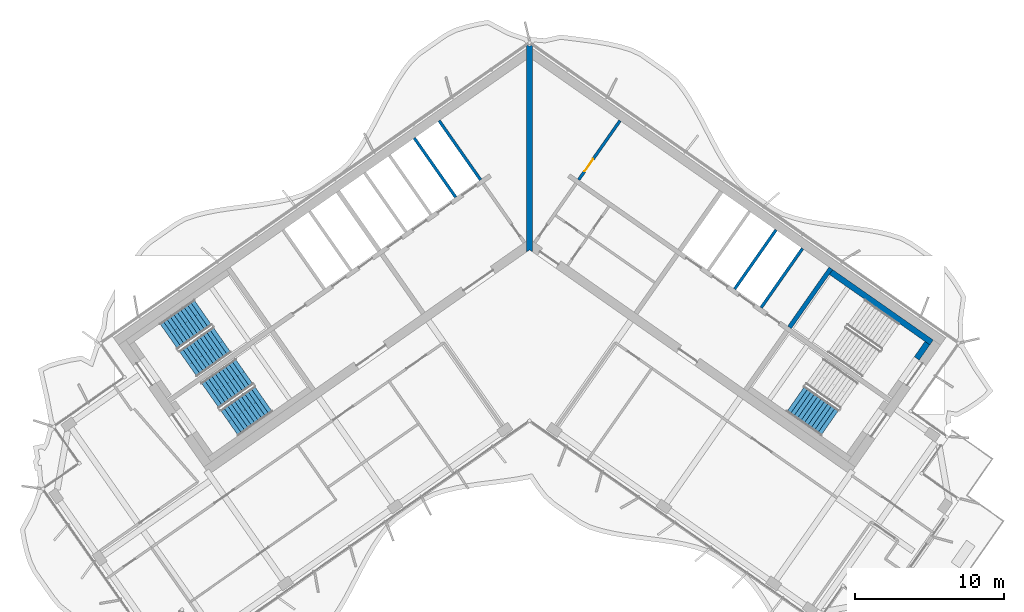
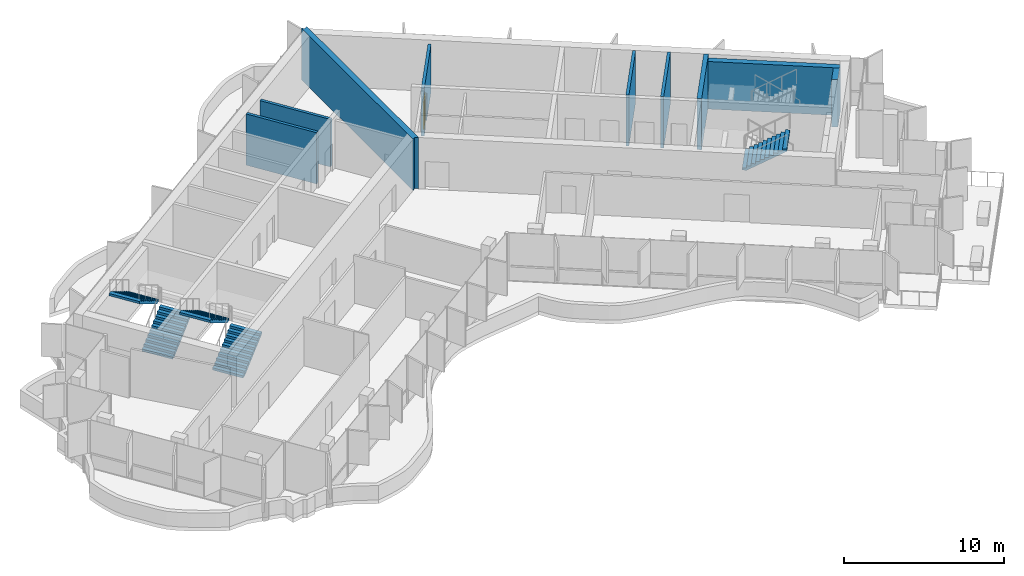
# One storey, part 11 of 18: 9 walls, 5 stair flights, 1 door, 1 opening, 3 elements without a shape of their own.
"""IFC4 building model written with IfcOpenShell, lengths in metres."""

import ifcopenshell
import ifcopenshell.guid

model = None  # the IFC model being written
_history = None  # IfcOwnerHistory: only IFC2X3 demands one
_inside = {}  # id of a spatial element -> (the spatial element, [elements in it])
_under = {}  # id of a project, library or spatial element -> (it, [spatial elements below it])
_declared = {}  # id of a project -> (the project, [libraries it declares])
_typed = {}  # id of a type object -> (the type object, [elements of that type])
_made_of = {}  # id of a material, layer set ... -> (it, [elements and type objects made of it])


def new_model(schema):
    """Start an empty IFC model of exactly this schema.

    Asked for "IFC4X3", IfcOpenShell would pick the latest addendum, in which some entities
    have other attributes; the version numbers below select the first issue.
    IFC2X3 requires an IfcOwnerHistory on every rooted entity: one is made here for all.
    """
    global model, _history
    if schema == "IFC4X3":
        model = ifcopenshell.file(schema_version=(4, 3, 0, 0))
    else:
        model = ifcopenshell.file(schema=schema)
    _inside.clear()
    _under.clear()
    _declared.clear()
    _typed.clear()
    _made_of.clear()
    _history = None
    if model.schema == "IFC2X3":
        org = make("IfcOrganization", Name="unknown")
        user = make(
            "IfcPersonAndOrganization",
            ThePerson=make("IfcPerson", FamilyName="unknown"),
            TheOrganization=org,
        )
        app = make(
            "IfcApplication",
            ApplicationDeveloper=org,
            Version="unknown",
            ApplicationFullName="unknown",
            ApplicationIdentifier="unknown",
        )
        _history = make(
            "IfcOwnerHistory",
            OwningUser=user,
            OwningApplication=app,
            ChangeAction="ADDED",
            CreationDate=0,
        )
    return model


def make(cls, **values):
    """One entity of the class cls with the attributes given. An attribute that is None is left unset."""
    return model.create_entity(
        cls, **{name: value for name, value in values.items() if value is not None}
    )


def rooted(cls, **values):
    """An entity with a GlobalId (a new one), such as an element, a storey or a relation."""
    return make(cls, GlobalId=ifcopenshell.guid.new(), OwnerHistory=_history, **values)


def si_unit(unit_type, name, prefix=None):
    """IfcSIUnit, for example si_unit("LENGTHUNIT", "METRE", prefix="MILLI")."""
    return make("IfcSIUnit", UnitType=unit_type, Prefix=prefix, Name=name)


def assignment(units):
    """IfcUnitAssignment: the units of a project."""
    return None if units is None else make("IfcUnitAssignment", Units=units)


def point(xyz):
    """IfcCartesianPoint."""
    return None if xyz is None else make("IfcCartesianPoint", Coordinates=xyz)


def direction(xyz):
    """IfcDirection."""
    return None if xyz is None else make("IfcDirection", DirectionRatios=xyz)


def frame(location, z_axis=None, x_axis=None):
    """IfcAxis2Placement3D, a coordinate frame: its origin and axes. An axis left out is left unset."""
    return make(
        "IfcAxis2Placement3D",
        Location=point(location),
        Axis=direction(z_axis),
        RefDirection=direction(x_axis),
    )


def frame_2d(location, x_axis=None):
    """IfcAxis2Placement2D, a coordinate frame in the plane: its origin and x axis."""
    return make(
        "IfcAxis2Placement2D", Location=point(location), RefDirection=direction(x_axis)
    )


def origin():
    """The frame at (0, 0, 0) with its axes left unset."""
    return frame((0.0, 0.0, 0.0))


def place(relative_to, where):
    """IfcLocalPlacement: puts the frame where relative to a parent placement (None: the world)."""
    return make(
        "IfcLocalPlacement", PlacementRelTo=relative_to, RelativePlacement=where
    )


def context(
    kind, dimensions, precision=None, world=None, true_north=None, identifier=None
):
    """IfcGeometricRepresentationContext, for example the 3D "Model" context."""
    return make(
        "IfcGeometricRepresentationContext",
        ContextIdentifier=identifier,
        ContextType=kind,
        CoordinateSpaceDimension=dimensions,
        Precision=precision,
        WorldCoordinateSystem=world,
        TrueNorth=true_north,
    )


def subcontext(parent, identifier, kind, view, scale=None):
    """IfcGeometricRepresentationSubContext, for example "Body" below "Model"."""
    return make(
        "IfcGeometricRepresentationSubContext",
        ContextIdentifier=identifier,
        ContextType=kind,
        ParentContext=parent,
        TargetScale=scale,
        TargetView=view,
    )


def project(units=None, contexts=None):
    """IfcProject with its units and contexts."""
    return rooted(
        "IfcProject",
        Name="project",
        RepresentationContexts=contexts,
        UnitsInContext=assignment(units),
    )


def spatial(cls, under=None, at=None, **own):
    """A site, building, storey or space (cls), placed at a placement, below another one or the project."""
    s = rooted(cls, ObjectPlacement=at, **own)
    if under is not None:
        _under.setdefault(under.id(), (under, []))[1].append(s)
    return s


def polyline(points):
    """IfcPolyline through the points."""
    return make("IfcPolyline", Points=[point(p) for p in points])


def profile(cls, at=None, kind="AREA", **sizes):
    """A parametric profile (cls). Its sizes go by their IFC names, for example OverallWidth=200.0."""
    return make(cls, ProfileType=kind, Position=at, **sizes)


def rectangle(**sizes):
    """IfcRectangleProfileDef."""
    return profile("IfcRectangleProfileDef", **sizes)


def outline(outer, holes=None, kind="AREA"):
    """IfcArbitraryClosedProfileDef: a profile drawn as a closed curve; with holes, ...WithVoids."""
    if holes is None:
        return make("IfcArbitraryClosedProfileDef", ProfileType=kind, OuterCurve=outer)
    return make(
        "IfcArbitraryProfileDefWithVoids",
        ProfileType=kind,
        OuterCurve=outer,
        InnerCurves=holes,
    )


def extrude(swept, where, along, depth):
    """IfcExtrudedAreaSolid: the profile swept, set in the frame where, extruded along a direction by depth."""
    return make(
        "IfcExtrudedAreaSolid",
        SweptArea=swept,
        Position=where,
        ExtrudedDirection=direction(along),
        Depth=depth,
    )


def shape(context_of_items, identifier, shape_type, items):
    """IfcShapeRepresentation: the items that make up one representation, for example the "Body"."""
    return make(
        "IfcShapeRepresentation",
        ContextOfItems=context_of_items,
        RepresentationIdentifier=identifier,
        RepresentationType=shape_type,
        Items=items,
    )


def material(Name=None, Category=None):
    """IfcMaterial."""
    return make("IfcMaterial", Name=Name, Category=Category)


def layer(
    of_material, thickness, ventilated=None, Name=None, Category=None, Priority=None
):
    """IfcMaterialLayer: one layer of a wall or slab, of a material (None: an air gap)."""
    return make(
        "IfcMaterialLayer",
        Material=of_material,
        LayerThickness=thickness,
        IsVentilated=ventilated,
        Name=Name,
        Category=Category,
        Priority=Priority,
    )


def layer_set(layers, Name=None):
    """IfcMaterialLayerSet."""
    return make("IfcMaterialLayerSet", MaterialLayers=layers, LayerSetName=Name)


def made_of(thing, what):
    """Note that an element or type object is made of a material, layer set ...; save() writes the relation."""
    if what is not None:
        _made_of.setdefault(what.id(), (what, []))[1].append(thing)
    return thing


def type_object(cls, material=None, **own):
    """A type object (cls), such as IfcWallType, which elements share."""
    return made_of(rooted(cls, **own), material)


def element(
    cls,
    number,
    at=None,
    inside=None,
    cuts=None,
    type_object=None,
    material=None,
    context=None,
    identifier="Body",
    shape_type=None,
    held_by="IfcProductDefinitionShape",
    body=None,
    shapes=None,
    **own,
):
    """One element of the class cls, such as IfcWall. Its Tag is "e" and its number.

    at: its placement. inside: the storey or other place that contains it. cuts: it is an
    opening in that element (IfcRelVoidsElement). A single representation is given by context,
    identifier, shape_type and body (its items); several are given by shapes. held_by: the class
    of the entity that holds the representations. save() writes the other relations.
    """
    e = rooted(cls, Tag="e%d" % number, ObjectPlacement=at, **own)
    if body is not None:
        shapes = [shape(context, identifier, shape_type, body)]
    if shapes is not None:
        e.Representation = make(held_by, Representations=shapes)
    if inside is not None:
        _inside.setdefault(inside.id(), (inside, []))[1].append(e)
    if cuts is not None:
        rooted(
            "IfcRelVoidsElement", RelatingBuildingElement=cuts, RelatedOpeningElement=e
        )
    if type_object is not None:
        _typed.setdefault(type_object.id(), (type_object, []))[1].append(e)
    return made_of(e, material)


def fill(opening, filler):
    """IfcRelFillsElement: the door or window that sits in an opening."""
    return rooted(
        "IfcRelFillsElement",
        RelatingOpeningElement=opening,
        RelatedBuildingElement=filler,
    )


def aggregate(whole, parts):
    """IfcRelAggregates: a whole, such as a stair, and the parts it consists of."""
    return rooted("IfcRelAggregates", RelatingObject=whole, RelatedObjects=parts)


def save(model, path):
    """Write the relations noted so far, then the file.

    IfcRelAggregates (storeys below a building ...), IfcRelContainedInSpatialStructure (elements
    in a storey), IfcRelDefinesByType, IfcRelAssociatesMaterial and IfcRelDeclares: one each for
    every whole, place, type object, material and project.
    """
    for whole, parts in _under.values():
        aggregate(whole, parts)
    for where, things in _inside.values():
        rooted(
            "IfcRelContainedInSpatialStructure",
            RelatedElements=things,
            RelatingStructure=where,
        )
    for kind, things in _typed.values():
        rooted("IfcRelDefinesByType", RelatedObjects=things, RelatingType=kind)
    for what, things in _made_of.values():
        rooted("IfcRelAssociatesMaterial", RelatedObjects=things, RelatingMaterial=what)
    for by, libraries in _declared.values():
        rooted("IfcRelDeclares", RelatingContext=by, RelatedDefinitions=libraries)
    model.write(path)


model = new_model("IFC4")

# Units and contexts
model_context = context("Model", 3, precision=1e-05, world=origin(), true_north=direction((0.0, 1.0)))
body_context = subcontext(model_context, "Body", "Model", "MODEL_VIEW")
ifc_project = project(units=[si_unit("LENGTHUNIT", "METRE"), si_unit("AREAUNIT", "SQUARE_METRE"), si_unit("VOLUMEUNIT", "CUBIC_METRE"), si_unit("PLANEANGLEUNIT", "RADIAN"), si_unit("MASSUNIT", "GRAM", prefix="KILO")], contexts=[model_context])

# Site, building, storey
site_placement = place(None, origin())
site = spatial("IfcSite", under=ifc_project, at=site_placement, CompositionType="ELEMENT")
building_placement = place(site_placement, origin())
building = spatial("IfcBuilding", under=site, at=building_placement, Name="Tel Ilan Convention Tower", CompositionType="ELEMENT")
storey_placement = place(building_placement, frame((0.0, 0.0, 272.199951171875)))
storey = spatial("IfcBuildingStorey", under=building, at=storey_placement, Name="L64", CompositionType="ELEMENT", Elevation=272.199951171875)

# Wall
ifc_material_1 = material(Name="Concrete C30/37", Category="concrete")
ifc_layer_1 = layer(ifc_material_1, 0.199951171875)
ifc_layer_set_1 = layer_set([ifc_layer_1], Name="Core Service Room Wall 200 mm C30/37")
wall_type_1 = type_object("IfcWallType", Name="Core Service Room Wall 200 mm C30/37", PredefinedType="SOLIDWALL", material=ifc_layer_set_1)
wall_1_placement = place(storey_placement, frame((-3.2978515625, 3.489501953125, 0.0), z_axis=(0.0, 0.0, 1.0), x_axis=(-0.573560315113, 0.819163332265, 0.0)))
element("IfcWall", 1, at=wall_1_placement, inside=storey, type_object=wall_type_1, Name="L64 core wall apex-W-b", PredefinedType="SOLIDWALL", context=body_context, shape_type="SweptSolid", body=[
    extrude(rectangle(XDim=4.849853515625, YDim=0.199951171875, at=frame_2d((2.4248046875, 0.0))), origin(), (0.0, 0.0, 1.0), 3.6201171875),
])

# Wall, opening, door
wall_2_placement = place(storey_placement, frame((3.2978515625, 3.489501953125, 0.0), z_axis=(0.0, 0.0, 1.0), x_axis=(0.573560315113, 0.819163332265, 0.0)))
wall_2 = element("IfcWall", 2, at=wall_2_placement, inside=storey, type_object=wall_type_1, Name="L64 core wall apex-E-b", PredefinedType="SOLIDWALL", context=body_context, shape_type="SweptSolid", body=[
    extrude(rectangle(XDim=4.849853515625, YDim=0.199951171875, at=frame_2d((2.4248046875, 0.0))), origin(), (0.0, 0.0, 1.0), 3.6201171875),
])
opening_placement = place(wall_2_placement, frame((0.699951171875, 0.0, 0.0)))
opening = element("IfcOpeningElement", 3, at=opening_placement, cuts=wall_2, Name="Opening CD4903", PredefinedType="OPENING", context=body_context, shape_type="SweptSolid", body=[
    extrude(rectangle(XDim=1.0, YDim=2.10009765625, at=frame_2d((0.5, 1.050048828125))), frame((0.0, 0.10986328125, 0.0), z_axis=(0.0, -1.0, 0.0), x_axis=(1.0, 0.0, 0.0)), (0.0, 0.0, 1.0), 0.219970703125),
])
ifc_material_2 = material(Name="Galvanised Steel Door Leaf", Category="steel")
door_type = type_object("IfcDoorType", Name="Service Room Door 1000 x 2100 FD60", OperationType="NOTDEFINED", PredefinedType="DOOR", material=ifc_material_2)
door_placement = place(opening_placement, origin())
door = element("IfcDoor", 4, at=door_placement, inside=storey, type_object=door_type, Name="Plant Room door", OperationType="SINGLE_SWING_RIGHT", OverallHeight=2.10009765625, OverallWidth=1.0, PredefinedType="DOOR", context=body_context, shape_type="SweptSolid", body=[
    extrude(rectangle(XDim=1.0, YDim=2.10009765625, at=frame_2d((0.5, 1.050048828125))), frame((0.0, 0.02490234375, 0.0), z_axis=(0.0, -1.0, 0.0), x_axis=(1.0, 0.0, 0.0)), (0.0, 0.0, 1.0), 0.050048828125),
])
fill(opening, door)

# Walls
ifc_material_3 = material(Name="Concrete C40/50", Category="concrete")
ifc_layer_2 = layer(ifc_material_3, 0.300048828125)
ifc_layer_set_2 = layer_set([ifc_layer_2], Name="Core Shear Wall 300 mm C40/50")
wall_type_2 = type_object("IfcWallType", Name="Core Shear Wall 300 mm C40/50", PredefinedType="SHEAR", material=ifc_layer_set_2)
wall_3_placement = place(storey_placement, frame((17.46923828125, -6.433349609375, 0.0), z_axis=(0.0, 0.0, 1.0), x_axis=(0.573594092424, 0.81913968109, 0.0)))
element("IfcWall", 5, at=wall_3_placement, inside=storey, type_object=wall_type_2, Name="L64 core wall E-cross2-2", PredefinedType="SHEAR", context=body_context, shape_type="SweptSolid", body=[
    extrude(outline(polyline([(4.849853515625, -0.14990234375), (4.849853515625, 0.150146484375), (0.0, 0.14990234375), (0.0, -0.14990234375), (4.849853515625, -0.14990234375)])), origin(), (0.0, 0.0, 1.0), 3.900146484375),
])
ifc_material_4 = material(Name="Concrete C40/50", Category="concrete")
ifc_layer_3 = layer(ifc_material_4, 0.39990234375)
ifc_layer_set_3 = layer_set([ifc_layer_3], Name="Core Shear Wall 400 mm C40/50")
wall_type_3 = type_object("IfcWallType", Name="Core Shear Wall 400 mm C40/50", PredefinedType="SHEAR", material=ifc_layer_set_3)
wall_4_placement = place(storey_placement, frame((0.0, -1.36083984375, 0.0), z_axis=(0.0, 0.0, 1.0), x_axis=(0.0, 1.0, 0.0)))
element("IfcWall", 6, at=wall_4_placement, inside=storey, type_object=wall_type_3, Name="L64 core wall K-central", PredefinedType="SHEAR", context=body_context, shape_type="SweptSolid", body=[
    extrude(outline(polyline([(0.14013671875, 0.199951171875), (0.0, 0.199951171875), (0.14013671875, 0.0), (0.0, -0.199951171875), (0.14013671875, -0.199951171875), (1.012451171875, -0.199951171875), (12.940185546875, -0.199951171875), (13.812744140625, -0.199951171875), (13.893310546875, -0.199951171875), (13.933349609375, -0.172119140625), (13.812744140625, 0.0), (13.933349609375, 0.172119140625), (13.893310546875, 0.199951171875), (13.812744140625, 0.199951171875), (12.940185546875, 0.199951171875), (1.012451171875, 0.199951171875), (0.14013671875, 0.199951171875)])), origin(), (0.0, 0.0, 1.0), 3.900146484375),
])
ifc_material_5 = material(Name="Concrete C30/37", Category="concrete")
ifc_layer_4 = layer(ifc_material_5, 0.199951171875)
ifc_layer_set_4 = layer_set([ifc_layer_4], Name="Lift Shaft Wall 200 mm C30/37")
wall_type_4 = type_object("IfcWallType", Name="Lift Shaft Wall 200 mm C30/37", PredefinedType="SOLIDWALL", material=ifc_layer_set_4)
for number, where, z_axis, x_axis, name in (
    (7, (-4.966796875, 2.32080078125, 0.0), (0.0, 0.0, 1.0), (-0.573594092424, 0.81913968109, 0.0), "L64 core wall bank-W1-p0"),
    (8, (13.782958984375, -3.852294921875, 0.0), (0.0, 0.0, 1.0), (0.573594092424, 0.81913968109, 0.0), "L64 core wall bank-E2-p1"),
):
    element("IfcWall", number, at=place(storey_placement, frame(where, z_axis=z_axis, x_axis=x_axis)), inside=storey, type_object=wall_type_4, Name=name, PredefinedType="SOLIDWALL", context=body_context, shape_type="SweptSolid", body=[
        extrude(rectangle(XDim=4.85009765625, YDim=0.199951171875, at=frame_2d((2.425048828125, 0.0))), origin(), (0.0, 0.0, 1.0), 3.900146484375),
    ])
wall_5_placement = place(storey_placement, frame((15.564697265625, -5.099853515625, 0.0), z_axis=(0.0, 0.0, 1.0), x_axis=(0.573560315113, 0.819163332265, 0.0)))
element("IfcWall", 9, at=wall_5_placement, inside=storey, type_object=wall_type_4, Name="L64 core wall bank-E2-p2", PredefinedType="SOLIDWALL", context=body_context, shape_type="SweptSolid", body=[
    extrude(rectangle(XDim=4.849853515625, YDim=0.199951171875, at=frame_2d((2.4248046875, 0.0))), origin(), (0.0, 0.0, 1.0), 3.900146484375),
])
ifc_material_6 = material(Name="Concrete C30/37", Category="concrete")
ifc_layer_5 = layer(ifc_material_6, 0.39990234375)
ifc_layer_set_5 = layer_set([ifc_layer_5], Name="Stair and Shaft Lining Wall 400 mm C30/37")
wall_type_5 = type_object("IfcWallType", Name="Stair and Shaft Lining Wall 400 mm C30/37", PredefinedType="SOLIDWALL", material=ifc_layer_set_5)
wall_6_placement = place(storey_placement, frame((20.25927734375, -2.71044921875, 0.0), z_axis=(0.0, 0.0, 1.0), x_axis=(0.81914849389, -0.573581506813, 0.0)))
element("IfcWall", 10, at=wall_6_placement, inside=storey, type_object=wall_type_5, Name="L64 core wall lining-S3-t1", PredefinedType="SOLIDWALL", context=body_context, shape_type="SweptSolid", body=[
    extrude(rectangle(XDim=8.249755859375, YDim=0.39990234375, at=frame_2d((4.125, 0.0))), origin(), (0.0, 0.0, 1.0), 3.6201171875),
])
wall_7_placement = place(storey_placement, frame((26.021728515625, -8.515380859375, 0.0), z_axis=(0.0, 0.0, 1.0), x_axis=(0.573619628835, 0.819121798889, 0.0)))
element("IfcWall", 11, at=wall_7_placement, inside=storey, type_object=wall_type_5, Name="L64 core wall lining-S3-u1-1", PredefinedType="SOLIDWALL", context=body_context, shape_type="SweptSolid", body=[
    extrude(rectangle(XDim=1.25, YDim=0.39990234375, at=frame_2d((0.625, 0.0))), origin(), (0.0, 0.0, 1.0), 3.6201171875),
])

# Stair, stair flights
ifc_material_7 = material(Name="Concrete C40/50", Category="concrete")
stair_type = type_object("IfcStairType", Name="Pressurised Exit Stair 22 risers 177 mm", PredefinedType="HALF_TURN_STAIR", material=ifc_material_7)
stair_1_placement = place(storey_placement, origin())
stair_1 = element("IfcStair", 12, at=stair_1_placement, inside=storey, type_object=stair_type, Name="L64 Pressurised Stair S1", PredefinedType="HALF_TURN_STAIR")
ifc_material_8 = material(Name="Precast Concrete C40/50", Category="concrete")
stair_flight_type = type_object("IfcStairFlightType", Name="Concrete Stair Flight 2100 mm 22 risers 177 mm", PredefinedType="STRAIGHT", material=ifc_material_8)
stair_flight_1_placement = place(storey_placement, frame((-22.9619140625, -8.87548828125, 0.0), z_axis=(0.0, 0.0, 1.0), x_axis=(0.819152044289, 0.573576436351, 0.0)))
stair_flight_1 = element("IfcStairFlight", 13, at=stair_flight_1_placement, type_object=stair_flight_type, Name="S1 flight 1", NumberOfRisers=11, NumberOfTreads=10, PredefinedType="STRAIGHT", RiserHeight=0.177272727, TreadLength=0.28, context=body_context, shape_type="SweptSolid", body=[
    extrude(outline(polyline([(0.0, 0.0), (0.0, 0.17724609375), (0.280029296875, 0.17724609375), (0.280029296875, 0.3544921875), (0.56005859375, 0.3544921875), (0.56005859375, 0.53173828125), (0.840087890625, 0.53173828125), (0.840087890625, 0.708984375), (1.1201171875, 0.708984375), (1.1201171875, 0.886474609375), (1.39990234375, 0.886474609375), (1.39990234375, 1.063720703125), (1.679931640625, 1.063720703125), (1.679931640625, 1.240966796875), (1.9599609375, 1.240966796875), (1.9599609375, 1.418212890625), (2.239990234375, 1.418212890625), (2.239990234375, 1.595458984375), (2.52001953125, 1.595458984375), (2.52001953125, 1.772705078125), (2.800048828125, 1.772705078125), (2.800048828125, 1.949951171875), (2.800048828125, 1.59521484375), (0.2802734375, 0.0), (0.0, 0.0)])), frame((0.0, -0.100341796875, 0.0), z_axis=(0.0, -1.0, 0.0), x_axis=(1.0, 0.0, 0.0)), (0.0, 0.0, 1.0), 0.94970703125),
    extrude(outline(polyline([(0.0, 0.0), (0.0, 0.17724609375), (0.280029296875, 0.17724609375), (0.280029296875, 0.3544921875), (0.56005859375, 0.3544921875), (0.56005859375, 0.53173828125), (0.840087890625, 0.53173828125), (0.840087890625, 0.708984375), (1.1201171875, 0.708984375), (1.1201171875, 0.886474609375), (1.39990234375, 0.886474609375), (1.39990234375, 1.063720703125), (1.679931640625, 1.063720703125), (1.679931640625, 1.240966796875), (1.9599609375, 1.240966796875), (1.9599609375, 1.418212890625), (2.239990234375, 1.418212890625), (2.239990234375, 1.595458984375), (2.52001953125, 1.595458984375), (2.52001953125, 1.772705078125), (2.800048828125, 1.772705078125), (2.800048828125, 1.949951171875), (2.800048828125, 1.59521484375), (0.2802734375, 0.0), (0.0, 0.0)])), frame((0.0, -0.000244140625, 0.0), z_axis=(0.0, -1.0, 0.0), x_axis=(1.0, 0.0, 0.0)), (0.0, 0.0, 1.0), 0.099609375),
    extrude(outline(polyline([(0.0, 0.0), (0.0, 0.17724609375), (0.280029296875, 0.17724609375), (0.280029296875, 0.3544921875), (0.56005859375, 0.3544921875), (0.56005859375, 0.53173828125), (0.840087890625, 0.53173828125), (0.840087890625, 0.708984375), (1.1201171875, 0.708984375), (1.1201171875, 0.886474609375), (1.39990234375, 0.886474609375), (1.39990234375, 1.063720703125), (1.679931640625, 1.063720703125), (1.679931640625, 1.240966796875), (1.9599609375, 1.240966796875), (1.9599609375, 1.418212890625), (2.239990234375, 1.418212890625), (2.239990234375, 1.595458984375), (2.52001953125, 1.595458984375), (2.52001953125, 1.772705078125), (2.800048828125, 1.772705078125), (2.800048828125, 1.949951171875), (2.800048828125, 1.59521484375), (0.2802734375, 0.0), (0.0, 0.0)])), frame((0.0, 0.099853515625, 0.0), z_axis=(0.0, -1.0, 0.0), x_axis=(1.0, 0.0, 0.0)), (0.0, 0.0, 1.0), 0.099609375),
    extrude(outline(polyline([(0.0, 0.0), (0.0, 0.17724609375), (0.280029296875, 0.17724609375), (0.280029296875, 0.3544921875), (0.56005859375, 0.3544921875), (0.56005859375, 0.53173828125), (0.840087890625, 0.53173828125), (0.840087890625, 0.708984375), (1.1201171875, 0.708984375), (1.1201171875, 0.886474609375), (1.39990234375, 0.886474609375), (1.39990234375, 1.063720703125), (1.679931640625, 1.063720703125), (1.679931640625, 1.240966796875), (1.9599609375, 1.240966796875), (1.9599609375, 1.418212890625), (2.239990234375, 1.418212890625), (2.239990234375, 1.595458984375), (2.52001953125, 1.595458984375), (2.52001953125, 1.772705078125), (2.800048828125, 1.772705078125), (2.800048828125, 1.949951171875), (2.800048828125, 1.59521484375), (0.2802734375, 0.0), (0.0, 0.0)])), frame((0.0, 1.050048828125, 0.0), z_axis=(0.0, -1.0, 0.0), x_axis=(1.0, 0.0, 0.0)), (0.0, 0.0, 1.0), 0.94970703125),
])
stair_flight_2_placement = place(storey_placement, frame((-21.958740234375, -5.42626953125, 1.949951171875), z_axis=(0.0, 0.0, 1.0), x_axis=(-0.819152044289, -0.573576436351, 0.0)))
stair_flight_2 = element("IfcStairFlight", 14, at=stair_flight_2_placement, type_object=stair_flight_type, Name="S1 flight 2", NumberOfRisers=11, NumberOfTreads=10, PredefinedType="STRAIGHT", RiserHeight=0.177272727, TreadLength=0.28, context=body_context, shape_type="SweptSolid", body=[
    extrude(outline(polyline([(0.0, 0.0), (0.0, 0.17724609375), (0.280029296875, 0.17724609375), (0.280029296875, 0.3544921875), (0.56005859375, 0.3544921875), (0.56005859375, 0.53173828125), (0.840087890625, 0.53173828125), (0.840087890625, 0.708984375), (1.1201171875, 0.708984375), (1.1201171875, 0.886474609375), (1.39990234375, 0.886474609375), (1.39990234375, 1.063720703125), (1.679931640625, 1.063720703125), (1.679931640625, 1.240966796875), (1.9599609375, 1.240966796875), (1.9599609375, 1.418212890625), (2.239990234375, 1.418212890625), (2.239990234375, 1.595458984375), (2.52001953125, 1.595458984375), (2.52001953125, 1.772705078125), (2.800048828125, 1.772705078125), (2.800048828125, 1.949951171875), (2.800048828125, 1.59521484375), (0.2802734375, 0.0), (0.0, 0.0)])), frame((0.0, -0.100341796875, 0.0), z_axis=(0.0, -1.0, 0.0), x_axis=(1.0, 0.0, 0.0)), (0.0, 0.0, 1.0), 0.94970703125),
    extrude(outline(polyline([(0.0, 0.0), (0.0, 0.17724609375), (0.280029296875, 0.17724609375), (0.280029296875, 0.3544921875), (0.56005859375, 0.3544921875), (0.56005859375, 0.53173828125), (0.840087890625, 0.53173828125), (0.840087890625, 0.708984375), (1.1201171875, 0.708984375), (1.1201171875, 0.886474609375), (1.39990234375, 0.886474609375), (1.39990234375, 1.063720703125), (1.679931640625, 1.063720703125), (1.679931640625, 1.240966796875), (1.9599609375, 1.240966796875), (1.9599609375, 1.418212890625), (2.239990234375, 1.418212890625), (2.239990234375, 1.595458984375), (2.52001953125, 1.595458984375), (2.52001953125, 1.772705078125), (2.800048828125, 1.772705078125), (2.800048828125, 1.949951171875), (2.800048828125, 1.59521484375), (0.2802734375, 0.0), (0.0, 0.0)])), frame((0.0, -0.000244140625, 0.0), z_axis=(0.0, -1.0, 0.0), x_axis=(1.0, 0.0, 0.0)), (0.0, 0.0, 1.0), 0.099609375),
    extrude(outline(polyline([(0.0, 0.0), (0.0, 0.17724609375), (0.280029296875, 0.17724609375), (0.280029296875, 0.3544921875), (0.56005859375, 0.3544921875), (0.56005859375, 0.53173828125), (0.840087890625, 0.53173828125), (0.840087890625, 0.708984375), (1.1201171875, 0.708984375), (1.1201171875, 0.886474609375), (1.39990234375, 0.886474609375), (1.39990234375, 1.063720703125), (1.679931640625, 1.063720703125), (1.679931640625, 1.240966796875), (1.9599609375, 1.240966796875), (1.9599609375, 1.418212890625), (2.239990234375, 1.418212890625), (2.239990234375, 1.595458984375), (2.52001953125, 1.595458984375), (2.52001953125, 1.772705078125), (2.800048828125, 1.772705078125), (2.800048828125, 1.949951171875), (2.800048828125, 1.59521484375), (0.2802734375, 0.0), (0.0, 0.0)])), frame((0.0, 0.099853515625, 0.0), z_axis=(0.0, -1.0, 0.0), x_axis=(1.0, 0.0, 0.0)), (0.0, 0.0, 1.0), 0.099609375),
    extrude(outline(polyline([(0.0, 0.0), (0.0, 0.17724609375), (0.280029296875, 0.17724609375), (0.280029296875, 0.3544921875), (0.56005859375, 0.3544921875), (0.56005859375, 0.53173828125), (0.840087890625, 0.53173828125), (0.840087890625, 0.708984375), (1.1201171875, 0.708984375), (1.1201171875, 0.886474609375), (1.39990234375, 0.886474609375), (1.39990234375, 1.063720703125), (1.679931640625, 1.063720703125), (1.679931640625, 1.240966796875), (1.9599609375, 1.240966796875), (1.9599609375, 1.418212890625), (2.239990234375, 1.418212890625), (2.239990234375, 1.595458984375), (2.52001953125, 1.595458984375), (2.52001953125, 1.772705078125), (2.800048828125, 1.772705078125), (2.800048828125, 1.949951171875), (2.800048828125, 1.59521484375), (0.2802734375, 0.0), (0.0, 0.0)])), frame((0.0, 1.050048828125, 0.0), z_axis=(0.0, -1.0, 0.0), x_axis=(1.0, 0.0, 0.0)), (0.0, 0.0, 1.0), 0.94970703125),
])
aggregate(stair_1, [stair_flight_1, stair_flight_2])

stair_2_placement = place(storey_placement, origin())
stair_2 = element("IfcStair", 15, at=stair_2_placement, inside=storey, type_object=stair_type, Name="L64 Pressurised Stair S2", PredefinedType="HALF_TURN_STAIR")
stair_flight_3_placement = place(storey_placement, frame((-20.179931640625, -12.848388671875, 0.0), z_axis=(0.0, 0.0, 1.0), x_axis=(0.819152044289, 0.573576436351, 0.0)))
stair_flight_3 = element("IfcStairFlight", 16, at=stair_flight_3_placement, type_object=stair_flight_type, Name="S2 flight 1", NumberOfRisers=11, NumberOfTreads=10, PredefinedType="STRAIGHT", RiserHeight=0.177272727, TreadLength=0.28, context=body_context, shape_type="SweptSolid", body=[
    extrude(outline(polyline([(0.0, 0.0), (0.0, 0.17724609375), (0.280029296875, 0.17724609375), (0.280029296875, 0.3544921875), (0.56005859375, 0.3544921875), (0.56005859375, 0.53173828125), (0.840087890625, 0.53173828125), (0.840087890625, 0.708984375), (1.1201171875, 0.708984375), (1.1201171875, 0.886474609375), (1.39990234375, 0.886474609375), (1.39990234375, 1.063720703125), (1.679931640625, 1.063720703125), (1.679931640625, 1.240966796875), (1.9599609375, 1.240966796875), (1.9599609375, 1.418212890625), (2.239990234375, 1.418212890625), (2.239990234375, 1.595458984375), (2.52001953125, 1.595458984375), (2.52001953125, 1.772705078125), (2.800048828125, 1.772705078125), (2.800048828125, 1.949951171875), (2.800048828125, 1.59521484375), (0.2802734375, 0.0), (0.0, 0.0)])), frame((0.0, -0.100341796875, 0.0), z_axis=(0.0, -1.0, 0.0), x_axis=(1.0, 0.0, 0.0)), (0.0, 0.0, 1.0), 0.94970703125),
    extrude(outline(polyline([(0.0, 0.0), (0.0, 0.17724609375), (0.280029296875, 0.17724609375), (0.280029296875, 0.3544921875), (0.56005859375, 0.3544921875), (0.56005859375, 0.53173828125), (0.840087890625, 0.53173828125), (0.840087890625, 0.708984375), (1.1201171875, 0.708984375), (1.1201171875, 0.886474609375), (1.39990234375, 0.886474609375), (1.39990234375, 1.063720703125), (1.679931640625, 1.063720703125), (1.679931640625, 1.240966796875), (1.9599609375, 1.240966796875), (1.9599609375, 1.418212890625), (2.239990234375, 1.418212890625), (2.239990234375, 1.595458984375), (2.52001953125, 1.595458984375), (2.52001953125, 1.772705078125), (2.800048828125, 1.772705078125), (2.800048828125, 1.949951171875), (2.800048828125, 1.59521484375), (0.2802734375, 0.0), (0.0, 0.0)])), frame((0.0, -0.000244140625, 0.0), z_axis=(0.0, -1.0, 0.0), x_axis=(1.0, 0.0, 0.0)), (0.0, 0.0, 1.0), 0.099609375),
    extrude(outline(polyline([(0.0, 0.0), (0.0, 0.17724609375), (0.280029296875, 0.17724609375), (0.280029296875, 0.3544921875), (0.56005859375, 0.3544921875), (0.56005859375, 0.53173828125), (0.840087890625, 0.53173828125), (0.840087890625, 0.708984375), (1.1201171875, 0.708984375), (1.1201171875, 0.886474609375), (1.39990234375, 0.886474609375), (1.39990234375, 1.063720703125), (1.679931640625, 1.063720703125), (1.679931640625, 1.240966796875), (1.9599609375, 1.240966796875), (1.9599609375, 1.418212890625), (2.239990234375, 1.418212890625), (2.239990234375, 1.595458984375), (2.52001953125, 1.595458984375), (2.52001953125, 1.772705078125), (2.800048828125, 1.772705078125), (2.800048828125, 1.949951171875), (2.800048828125, 1.59521484375), (0.2802734375, 0.0), (0.0, 0.0)])), frame((0.0, 0.099853515625, 0.0), z_axis=(0.0, -1.0, 0.0), x_axis=(1.0, 0.0, 0.0)), (0.0, 0.0, 1.0), 0.099609375),
    extrude(outline(polyline([(0.0, 0.0), (0.0, 0.17724609375), (0.280029296875, 0.17724609375), (0.280029296875, 0.3544921875), (0.56005859375, 0.3544921875), (0.56005859375, 0.53173828125), (0.840087890625, 0.53173828125), (0.840087890625, 0.708984375), (1.1201171875, 0.708984375), (1.1201171875, 0.886474609375), (1.39990234375, 0.886474609375), (1.39990234375, 1.063720703125), (1.679931640625, 1.063720703125), (1.679931640625, 1.240966796875), (1.9599609375, 1.240966796875), (1.9599609375, 1.418212890625), (2.239990234375, 1.418212890625), (2.239990234375, 1.595458984375), (2.52001953125, 1.595458984375), (2.52001953125, 1.772705078125), (2.800048828125, 1.772705078125), (2.800048828125, 1.949951171875), (2.800048828125, 1.59521484375), (0.2802734375, 0.0), (0.0, 0.0)])), frame((0.0, 1.050048828125, 0.0), z_axis=(0.0, -1.0, 0.0), x_axis=(1.0, 0.0, 0.0)), (0.0, 0.0, 1.0), 0.94970703125),
])
stair_flight_4_placement = place(storey_placement, frame((-19.177001953125, -9.399169921875, 1.949951171875), z_axis=(0.0, 0.0, 1.0), x_axis=(-0.819152044289, -0.573576436351, 0.0)))
stair_flight_4 = element("IfcStairFlight", 17, at=stair_flight_4_placement, type_object=stair_flight_type, Name="S2 flight 2", NumberOfRisers=11, NumberOfTreads=10, PredefinedType="STRAIGHT", RiserHeight=0.177272727, TreadLength=0.28, context=body_context, shape_type="SweptSolid", body=[
    extrude(outline(polyline([(0.0, 0.0), (0.0, 0.17724609375), (0.280029296875, 0.17724609375), (0.280029296875, 0.3544921875), (0.56005859375, 0.3544921875), (0.56005859375, 0.53173828125), (0.840087890625, 0.53173828125), (0.840087890625, 0.708984375), (1.1201171875, 0.708984375), (1.1201171875, 0.886474609375), (1.39990234375, 0.886474609375), (1.39990234375, 1.063720703125), (1.679931640625, 1.063720703125), (1.679931640625, 1.240966796875), (1.9599609375, 1.240966796875), (1.9599609375, 1.418212890625), (2.239990234375, 1.418212890625), (2.239990234375, 1.595458984375), (2.52001953125, 1.595458984375), (2.52001953125, 1.772705078125), (2.800048828125, 1.772705078125), (2.800048828125, 1.949951171875), (2.800048828125, 1.59521484375), (0.2802734375, 0.0), (0.0, 0.0)])), frame((0.0, -0.100341796875, 0.0), z_axis=(0.0, -1.0, 0.0), x_axis=(1.0, 0.0, 0.0)), (0.0, 0.0, 1.0), 0.94970703125),
    extrude(outline(polyline([(0.0, 0.0), (0.0, 0.17724609375), (0.280029296875, 0.17724609375), (0.280029296875, 0.3544921875), (0.56005859375, 0.3544921875), (0.56005859375, 0.53173828125), (0.840087890625, 0.53173828125), (0.840087890625, 0.708984375), (1.1201171875, 0.708984375), (1.1201171875, 0.886474609375), (1.39990234375, 0.886474609375), (1.39990234375, 1.063720703125), (1.679931640625, 1.063720703125), (1.679931640625, 1.240966796875), (1.9599609375, 1.240966796875), (1.9599609375, 1.418212890625), (2.239990234375, 1.418212890625), (2.239990234375, 1.595458984375), (2.52001953125, 1.595458984375), (2.52001953125, 1.772705078125), (2.800048828125, 1.772705078125), (2.800048828125, 1.949951171875), (2.800048828125, 1.59521484375), (0.2802734375, 0.0), (0.0, 0.0)])), frame((0.0, -0.000244140625, 0.0), z_axis=(0.0, -1.0, 0.0), x_axis=(1.0, 0.0, 0.0)), (0.0, 0.0, 1.0), 0.099609375),
    extrude(outline(polyline([(0.0, 0.0), (0.0, 0.17724609375), (0.280029296875, 0.17724609375), (0.280029296875, 0.3544921875), (0.56005859375, 0.3544921875), (0.56005859375, 0.53173828125), (0.840087890625, 0.53173828125), (0.840087890625, 0.708984375), (1.1201171875, 0.708984375), (1.1201171875, 0.886474609375), (1.39990234375, 0.886474609375), (1.39990234375, 1.063720703125), (1.679931640625, 1.063720703125), (1.679931640625, 1.240966796875), (1.9599609375, 1.240966796875), (1.9599609375, 1.418212890625), (2.239990234375, 1.418212890625), (2.239990234375, 1.595458984375), (2.52001953125, 1.595458984375), (2.52001953125, 1.772705078125), (2.800048828125, 1.772705078125), (2.800048828125, 1.949951171875), (2.800048828125, 1.59521484375), (0.2802734375, 0.0), (0.0, 0.0)])), frame((0.0, 0.099853515625, 0.0), z_axis=(0.0, -1.0, 0.0), x_axis=(1.0, 0.0, 0.0)), (0.0, 0.0, 1.0), 0.099609375),
    extrude(outline(polyline([(0.0, 0.0), (0.0, 0.17724609375), (0.280029296875, 0.17724609375), (0.280029296875, 0.3544921875), (0.56005859375, 0.3544921875), (0.56005859375, 0.53173828125), (0.840087890625, 0.53173828125), (0.840087890625, 0.708984375), (1.1201171875, 0.708984375), (1.1201171875, 0.886474609375), (1.39990234375, 0.886474609375), (1.39990234375, 1.063720703125), (1.679931640625, 1.063720703125), (1.679931640625, 1.240966796875), (1.9599609375, 1.240966796875), (1.9599609375, 1.418212890625), (2.239990234375, 1.418212890625), (2.239990234375, 1.595458984375), (2.52001953125, 1.595458984375), (2.52001953125, 1.772705078125), (2.800048828125, 1.772705078125), (2.800048828125, 1.949951171875), (2.800048828125, 1.59521484375), (0.2802734375, 0.0), (0.0, 0.0)])), frame((0.0, 1.050048828125, 0.0), z_axis=(0.0, -1.0, 0.0), x_axis=(1.0, 0.0, 0.0)), (0.0, 0.0, 1.0), 0.94970703125),
])
aggregate(stair_2, [stair_flight_3, stair_flight_4])

# Stair, stair flight
stair_3_placement = place(storey_placement, origin())
stair_3 = element("IfcStair", 18, at=stair_3_placement, inside=storey, type_object=stair_type, Name="L64 Pressurised Stair S4", PredefinedType="HALF_TURN_STAIR")
stair_flight_5_placement = place(storey_placement, frame((17.886474609375, -11.242431640625, 1.949951171875), z_axis=(0.0, 0.0, 1.0), x_axis=(0.819152044289, -0.573576436351, 0.0)))
stair_flight_5 = element("IfcStairFlight", 19, at=stair_flight_5_placement, type_object=stair_flight_type, Name="S4 flight 2", NumberOfRisers=11, NumberOfTreads=10, PredefinedType="STRAIGHT", RiserHeight=0.177272727, TreadLength=0.28, context=body_context, shape_type="SweptSolid", body=[
    extrude(outline(polyline([(0.0, 0.0), (0.0, 0.17724609375), (0.280029296875, 0.17724609375), (0.280029296875, 0.3544921875), (0.56005859375, 0.3544921875), (0.56005859375, 0.53173828125), (0.840087890625, 0.53173828125), (0.840087890625, 0.708984375), (1.1201171875, 0.708984375), (1.1201171875, 0.886474609375), (1.39990234375, 0.886474609375), (1.39990234375, 1.063720703125), (1.679931640625, 1.063720703125), (1.679931640625, 1.240966796875), (1.9599609375, 1.240966796875), (1.9599609375, 1.418212890625), (2.239990234375, 1.418212890625), (2.239990234375, 1.595458984375), (2.52001953125, 1.595458984375), (2.52001953125, 1.772705078125), (2.800048828125, 1.772705078125), (2.800048828125, 1.949951171875), (2.800048828125, 1.59521484375), (0.2802734375, 0.0), (0.0, 0.0)])), frame((0.0, -0.100341796875, 0.0), z_axis=(0.0, -1.0, 0.0), x_axis=(1.0, 0.0, 0.0)), (0.0, 0.0, 1.0), 0.94970703125),
    extrude(outline(polyline([(0.0, 0.0), (0.0, 0.17724609375), (0.280029296875, 0.17724609375), (0.280029296875, 0.3544921875), (0.56005859375, 0.3544921875), (0.56005859375, 0.53173828125), (0.840087890625, 0.53173828125), (0.840087890625, 0.708984375), (1.1201171875, 0.708984375), (1.1201171875, 0.886474609375), (1.39990234375, 0.886474609375), (1.39990234375, 1.063720703125), (1.679931640625, 1.063720703125), (1.679931640625, 1.240966796875), (1.9599609375, 1.240966796875), (1.9599609375, 1.418212890625), (2.239990234375, 1.418212890625), (2.239990234375, 1.595458984375), (2.52001953125, 1.595458984375), (2.52001953125, 1.772705078125), (2.800048828125, 1.772705078125), (2.800048828125, 1.949951171875), (2.800048828125, 1.59521484375), (0.2802734375, 0.0), (0.0, 0.0)])), frame((0.0, -0.000244140625, 0.0), z_axis=(0.0, -1.0, 0.0), x_axis=(1.0, 0.0, 0.0)), (0.0, 0.0, 1.0), 0.099609375),
    extrude(outline(polyline([(0.0, 0.0), (0.0, 0.17724609375), (0.280029296875, 0.17724609375), (0.280029296875, 0.3544921875), (0.56005859375, 0.3544921875), (0.56005859375, 0.53173828125), (0.840087890625, 0.53173828125), (0.840087890625, 0.708984375), (1.1201171875, 0.708984375), (1.1201171875, 0.886474609375), (1.39990234375, 0.886474609375), (1.39990234375, 1.063720703125), (1.679931640625, 1.063720703125), (1.679931640625, 1.240966796875), (1.9599609375, 1.240966796875), (1.9599609375, 1.418212890625), (2.239990234375, 1.418212890625), (2.239990234375, 1.595458984375), (2.52001953125, 1.595458984375), (2.52001953125, 1.772705078125), (2.800048828125, 1.772705078125), (2.800048828125, 1.949951171875), (2.800048828125, 1.59521484375), (0.2802734375, 0.0), (0.0, 0.0)])), frame((0.0, 0.099853515625, 0.0), z_axis=(0.0, -1.0, 0.0), x_axis=(1.0, 0.0, 0.0)), (0.0, 0.0, 1.0), 0.099609375),
    extrude(outline(polyline([(0.0, 0.0), (0.0, 0.17724609375), (0.280029296875, 0.17724609375), (0.280029296875, 0.3544921875), (0.56005859375, 0.3544921875), (0.56005859375, 0.53173828125), (0.840087890625, 0.53173828125), (0.840087890625, 0.708984375), (1.1201171875, 0.708984375), (1.1201171875, 0.886474609375), (1.39990234375, 0.886474609375), (1.39990234375, 1.063720703125), (1.679931640625, 1.063720703125), (1.679931640625, 1.240966796875), (1.9599609375, 1.240966796875), (1.9599609375, 1.418212890625), (2.239990234375, 1.418212890625), (2.239990234375, 1.595458984375), (2.52001953125, 1.595458984375), (2.52001953125, 1.772705078125), (2.800048828125, 1.772705078125), (2.800048828125, 1.949951171875), (2.800048828125, 1.59521484375), (0.2802734375, 0.0), (0.0, 0.0)])), frame((0.0, 1.050048828125, 0.0), z_axis=(0.0, -1.0, 0.0), x_axis=(1.0, 0.0, 0.0)), (0.0, 0.0, 1.0), 0.94970703125),
])
aggregate(stair_3, [stair_flight_5])

save(model, "model.ifc")
